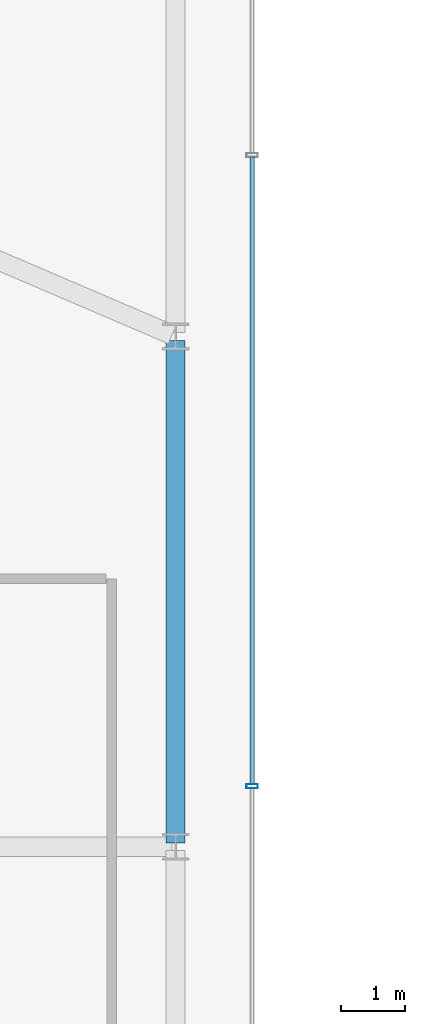
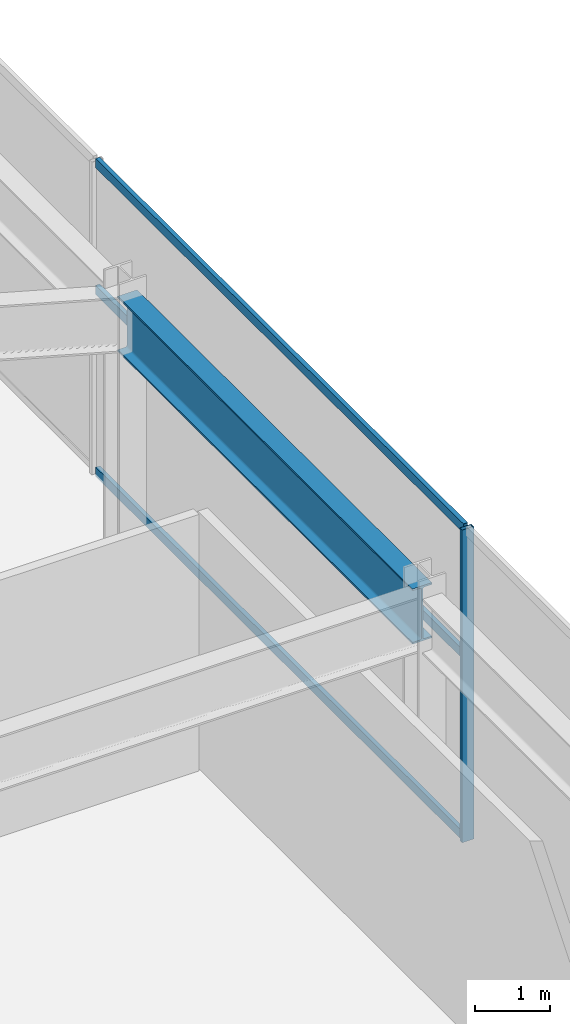
# One storey, part 28 of 51: 4 members, 1 beam, 1 element without a shape of its own.
"""IFC4 building model written with IfcOpenShell, lengths in metres."""

from ifc_helpers import new_model, si_unit, direction, frame, origin, origin_2d, place, context, subcontext, project, spatial, hollow_rectangle, i_section, extrude, material, material_profile, profile_set, type_object, element, aggregate, save


model = new_model("IFC4")

# Units and contexts
model_context = context("Model", 3, precision=1e-05, world=origin(), true_north=direction((0.0, 1.0)))
body_context = subcontext(model_context, "Body", "Model", "MODEL_VIEW")
ifc_project = project(units=[si_unit("LENGTHUNIT", "METRE"), si_unit("AREAUNIT", "SQUARE_METRE"), si_unit("VOLUMEUNIT", "CUBIC_METRE"), si_unit("PLANEANGLEUNIT", "RADIAN"), si_unit("MASSUNIT", "GRAM", prefix="KILO")], contexts=[model_context])

# Site, building, storey
site_placement = place(None, origin())
site = spatial("IfcSite", under=ifc_project, at=site_placement, CompositionType="ELEMENT")
building_placement = place(site_placement, origin())
building = spatial("IfcBuilding", under=site, at=building_placement, Name="Saevonmaru Cultural Tower", CompositionType="ELEMENT")
storey_placement = place(building_placement, frame((0.0, 0.0, 6.0)))
storey = spatial("IfcBuildingStorey", under=building, at=storey_placement, Name="L01", CompositionType="ELEMENT", Elevation=6.0)

# Beam
ifc_material_1 = material(Name="Steel SM420", Category="steel")
ifc_material_profile_1 = material_profile(ifc_material_1, i_section(OverallWidth=0.300048828125, OverallDepth=0.89990234375, WebThickness=0.01611328125, FlangeThickness=0.028076171875, FilletRadius=0.028076171875, at=origin_2d()), Name="H-900x300x16x28")
ifc_profile_set_1 = profile_set([ifc_material_profile_1], Name="Steel SM420")
beam_type = type_object("IfcBeamType", Name="BM-G-H900", PredefinedType="BEAM", material=ifc_profile_set_1)
beam_placement = place(storey_placement, frame((58.800048828125, 32.06005859375, 4.64990234375), z_axis=(0.0, 1.0, 0.0), x_axis=(-1.0, 0.0, 0.0)))
element("IfcBeam", 1, at=beam_placement, inside=storey, type_object=beam_type, Name="BM-POD-PE-4-L01", PredefinedType="BEAM", context=body_context, shape_type="SweptSolid", body=[
    extrude(i_section(OverallWidth=0.300048828125, OverallDepth=0.89990234375, WebThickness=0.01611328125, FlangeThickness=0.028076171875, FilletRadius=0.028076171875, at=origin_2d()), origin(), (0.0, 0.0, 1.0), 7.8798828125),
])

# Curtain wall, members
ifc_material_2 = material(Name="Satin Bronze Anodised Aluminium", Category="aluminium")
curtain_wall_type = type_object("IfcCurtainWallType", Name="CW-POD-GLZ", PredefinedType="NOTDEFINED", material=ifc_material_2)
curtain_wall_placement = place(storey_placement, origin())
curtain_wall = element("IfcCurtainWall", 2, at=curtain_wall_placement, inside=storey, type_object=curtain_wall_type, Name="L01 Saevon Plaza Curtain Wall", PredefinedType="NOTDEFINED")
ifc_material_profile_2 = material_profile(ifc_material_2, hollow_rectangle(XDim=0.06494140625, YDim=0.179931640625, WallThickness=0.00390625, at=origin_2d()), Name="ALU-MULL-180x65x4")
ifc_profile_set_2 = profile_set([ifc_material_profile_2], Name="Satin Bronze Anodised Aluminium")
member_type_1 = type_object("IfcMemberType", Name="ML-CW-180x65", PredefinedType="MULLION", material=ifc_profile_set_2)
member_1_placement = place(storey_placement, frame((60.0, 32.947998046875, 0.0), z_axis=(0.0, 0.0, 1.0), x_axis=(0.0, 1.0, 0.0)))
member_1 = element("IfcMember", 3, at=member_1_placement, type_object=member_type_1, Name="CW-POD-E-L01 mullion 4", PredefinedType="MULLION", context=body_context, shape_type="SweptSolid", body=[
    extrude(hollow_rectangle(XDim=0.06494140625, YDim=0.179931640625, WallThickness=0.00390625, at=origin_2d()), origin(), (0.0, 0.0, 1.0), 5.10009765625),
])
ifc_material_profile_3 = material_profile(ifc_material_2, hollow_rectangle(XDim=0.06494140625, YDim=0.14990234375, WallThickness=0.00390625, at=origin_2d()), Name="ALU-TRAN-150x65x4")
ifc_profile_set_3 = profile_set([ifc_material_profile_3], Name="Satin Bronze Anodised Aluminium")
member_type_2 = type_object("IfcMemberType", Name="TR-CW-150x65", PredefinedType="USERDEFINED", material=ifc_profile_set_3)
member_2_placement = place(storey_placement, frame((60.0, 32.98046875, 0.032470703125), z_axis=(0.0, 1.0, 0.0), x_axis=(-1.0, 0.0, 0.0)))
member_2 = element("IfcMember", 4, at=member_2_placement, type_object=member_type_2, Name="CW-POD-E-L01 transom 4.1", ObjectType="TRANSOM", PredefinedType="USERDEFINED", context=body_context, shape_type="SweptSolid", body=[
    extrude(hollow_rectangle(XDim=0.06494140625, YDim=0.14990234375, WallThickness=0.00390625, at=origin_2d()), origin(), (0.0, 0.0, 1.0), 9.8310546875),
])
member_3_placement = place(storey_placement, frame((60.0, 32.98046875, 3.0), z_axis=(0.0, 1.0, 0.0), x_axis=(-1.0, 0.0, 0.0)))
member_3 = element("IfcMember", 5, at=member_3_placement, type_object=member_type_2, Name="CW-POD-E-L01 transom 4.2", ObjectType="TRANSOM", PredefinedType="USERDEFINED", context=body_context, shape_type="SweptSolid", body=[
    extrude(hollow_rectangle(XDim=0.06494140625, YDim=0.14990234375, WallThickness=0.00390625, at=origin_2d()), origin(), (0.0, 0.0, 1.0), 9.8310546875),
])
member_4_placement = place(storey_placement, frame((60.0, 32.98046875, 5.0673828125), z_axis=(0.0, 1.0, 0.0), x_axis=(-1.0, 0.0, 0.0)))
member_4 = element("IfcMember", 6, at=member_4_placement, type_object=member_type_2, Name="CW-POD-E-L01 transom 4.3", ObjectType="TRANSOM", PredefinedType="USERDEFINED", context=body_context, shape_type="SweptSolid", body=[
    extrude(hollow_rectangle(XDim=0.06494140625, YDim=0.14990234375, WallThickness=0.00390625, at=origin_2d()), origin(), (0.0, 0.0, 1.0), 9.8310546875),
])
aggregate(curtain_wall, [member_1, member_2, member_3, member_4])

save(model, "model.ifc")
